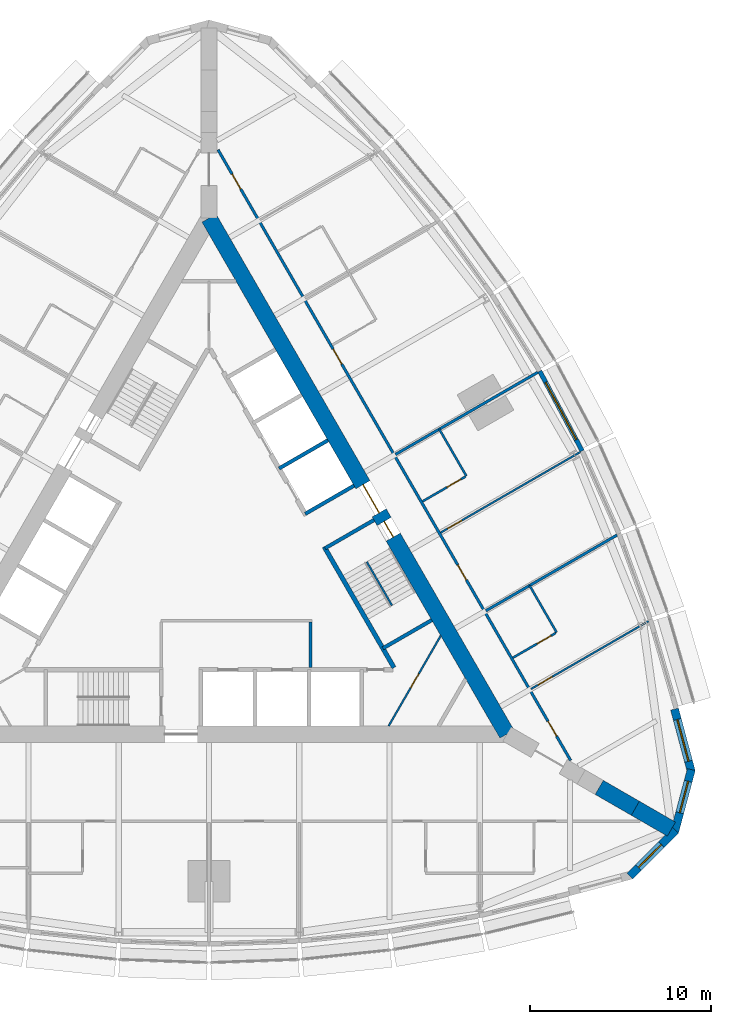
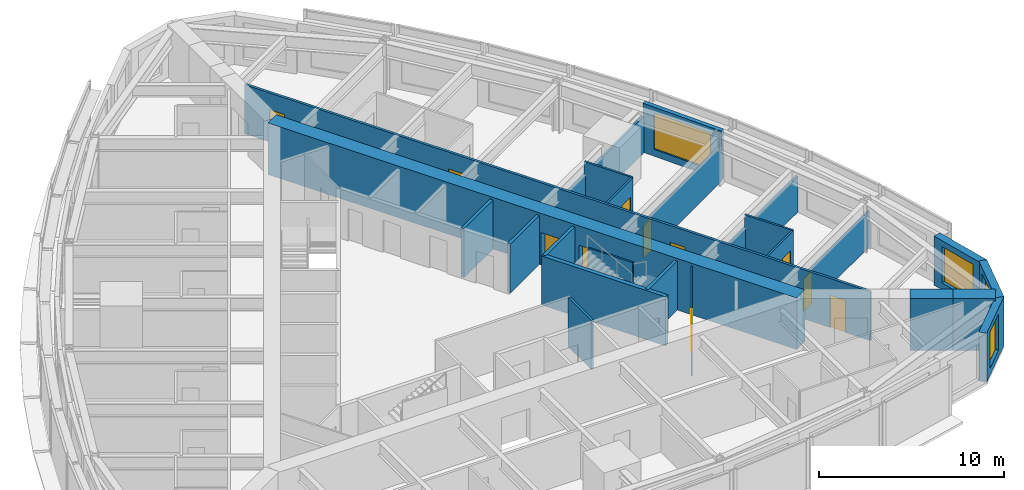
# One storey, part 11 of 14: 24 walls, 11 doors, 4 windows, 15 openings.
"""IFC4 building model written with IfcOpenShell, lengths in metres."""

from ifc_helpers import new_model, si_unit, direction, frame, frame_2d, origin, place, context, subcontext, project, spatial, polyline, rectangle, outline, extrude, material, layer, layer_set, type_object, element, fill, save


model = new_model("IFC4")

# Units and contexts
model_context = context("Model", 3, precision=1e-05, world=origin(), true_north=direction((0.0, 1.0)))
body_context = subcontext(model_context, "Body", "Model", "MODEL_VIEW")
ifc_project = project(units=[si_unit("LENGTHUNIT", "METRE"), si_unit("AREAUNIT", "SQUARE_METRE"), si_unit("VOLUMEUNIT", "CUBIC_METRE"), si_unit("PLANEANGLEUNIT", "RADIAN"), si_unit("MASSUNIT", "GRAM", prefix="KILO")], contexts=[model_context])

# Site, building, storey
site_placement = place(None, origin())
site = spatial("IfcSite", under=ifc_project, at=site_placement, CompositionType="ELEMENT")
building_placement = place(site_placement, origin())
building = spatial("IfcBuilding", under=site, at=building_placement, Name="Trikona Tower", CompositionType="ELEMENT")
storey_placement = place(building_placement, frame((0.0, 0.0, 175.89990234375)))
storey = spatial("IfcBuildingStorey", under=building, at=storey_placement, Name="L47", CompositionType="ELEMENT", Elevation=175.89990234375)

# Wall
ifc_material_1 = material(Name="Metal stud and cement board", Category="gypsum")
ifc_layer_1 = layer(ifc_material_1, 0.1201171875)
ifc_layer_set_1 = layer_set([ifc_layer_1], Name="Bathroom wall 120")
wall_type_1 = type_object("IfcWallType", Name="Bathroom wall 120", PredefinedType="PLUMBINGWALL", material=ifc_layer_set_1)
wall_1_placement = place(storey_placement, frame((19.25341796875, -3.895263671875, 0.0), z_axis=(0.0, 0.0, 1.0), x_axis=(-0.499990139034, 0.866031096941, 0.0)))
element("IfcWall", 1, at=wall_1_placement, inside=storey, type_object=wall_type_1, Name="Bathroom wall 4706.1", PredefinedType="PLUMBINGWALL", context=body_context, shape_type="SweptSolid", body=[
    extrude(rectangle(XDim=3.0, YDim=0.1201171875, at=frame_2d((1.5, 0.0))), origin(), (0.0, 0.0, 1.0), 3.235107421875),
])

# Wall, opening, door
wall_2_placement = place(storey_placement, frame((16.82861328125, -5.295166015625, 0.0), z_axis=(0.0, 0.0, 1.0), x_axis=(0.866035715982, 0.499982138324, 0.0)))
wall_2 = element("IfcWall", 2, at=wall_2_placement, inside=storey, type_object=wall_type_1, Name="Bathroom wall 4706.1", PredefinedType="PLUMBINGWALL", context=body_context, shape_type="SweptSolid", body=[
    extrude(rectangle(XDim=2.73974609375, YDim=0.1201171875, at=frame_2d((1.369873046875, 0.0))), origin(), (0.0, 0.0, 1.0), 3.235107421875),
])
opening_1_placement = place(wall_2_placement, frame((1.550048828125, 0.0, 0.0)))
opening_1 = element("IfcOpeningElement", 3, at=opening_1_placement, cuts=wall_2, Name="Opening D2", PredefinedType="OPENING", context=body_context, shape_type="SweptSolid", body=[
    extrude(rectangle(XDim=0.89990234375, YDim=2.1298828125, at=frame_2d((0.449951171875, 1.06494140625))), frame((0.0, 0.070068359375, 0.0), z_axis=(0.0, -1.0, 0.0), x_axis=(1.0, 0.0, 0.0)), (0.0, 0.0, 1.0), 0.14013671875),
])
ifc_material_2 = material(Name="Steel door frame with solid-core timber leaf", Category="steel")
door_type_1 = type_object("IfcDoorType", Name="Bathroom door 900x2130", OperationType="SLIDING_TO_LEFT", PredefinedType="DOOR", material=ifc_material_2)
door_1_placement = place(opening_1_placement, origin())
door_1 = element("IfcDoor", 4, at=door_1_placement, inside=storey, type_object=door_type_1, Name="Bathroom door 4706.1", OperationType="SLIDING_TO_LEFT", OverallHeight=2.1298828125, OverallWidth=0.89990234375, PredefinedType="DOOR", context=body_context, shape_type="SweptSolid", body=[
    extrude(rectangle(XDim=0.89990234375, YDim=2.1298828125, at=frame_2d((0.449951171875, 1.06494140625))), frame((0.0, 0.02490234375, 0.0), z_axis=(0.0, -1.0, 0.0), x_axis=(1.0, 0.0, 0.0)), (0.0, 0.0, 1.0), 0.050048828125),
])
fill(opening_1, door_1)

# Wall
wall_3_placement = place(storey_placement, frame((14.25341796875, 4.76513671875, 0.0), z_axis=(0.0, 0.0, 1.0), x_axis=(-0.50002537861, 0.866010750942, 0.0)))
element("IfcWall", 5, at=wall_3_placement, inside=storey, type_object=wall_type_1, Name="Bathroom wall 4707.1", PredefinedType="PLUMBINGWALL", context=body_context, shape_type="SweptSolid", body=[
    extrude(rectangle(XDim=2.999755859375, YDim=0.1201171875, at=frame_2d((1.5, 0.0))), origin(), (0.0, 0.0, 1.0), 3.235107421875),
])

# Wall, opening, door
wall_4_placement = place(storey_placement, frame((11.82861328125, 3.364990234375, 0.0), z_axis=(0.0, 0.0, 1.0), x_axis=(0.865997131366, 0.500048966069, 0.0)))
wall_4 = element("IfcWall", 6, at=wall_4_placement, inside=storey, type_object=wall_type_1, Name="Bathroom wall 4707.1", PredefinedType="PLUMBINGWALL", context=body_context, shape_type="SweptSolid", body=[
    extrude(rectangle(XDim=2.739990234375, YDim=0.1201171875, at=frame_2d((1.3701171875, 0.0))), origin(), (0.0, 0.0, 1.0), 3.235107421875),
])
opening_2_placement = place(wall_4_placement, frame((1.550048828125, 0.0, 0.0)))
opening_2 = element("IfcOpeningElement", 7, at=opening_2_placement, cuts=wall_4, Name="Opening D2", PredefinedType="OPENING", context=body_context, shape_type="SweptSolid", body=[
    extrude(rectangle(XDim=0.89990234375, YDim=2.1298828125, at=frame_2d((0.449951171875, 1.06494140625))), frame((0.0, 0.070068359375, 0.0), z_axis=(0.0, -1.0, 0.0), x_axis=(1.0, 0.0, 0.0)), (0.0, 0.0, 1.0), 0.14013671875),
])
door_2_placement = place(opening_2_placement, origin())
door_2 = element("IfcDoor", 8, at=door_2_placement, inside=storey, type_object=door_type_1, Name="Bathroom door 4707.1", OperationType="SLIDING_TO_LEFT", OverallHeight=2.1298828125, OverallWidth=0.89990234375, PredefinedType="DOOR", context=body_context, shape_type="SweptSolid", body=[
    extrude(rectangle(XDim=0.89990234375, YDim=2.1298828125, at=frame_2d((0.449951171875, 1.06494140625))), frame((0.0, 0.02490234375, 0.0), z_axis=(0.0, -1.0, 0.0), x_axis=(1.0, 0.0, 0.0)), (0.0, 0.0, 1.0), 0.050048828125),
])
fill(opening_2, door_2)

# Wall, opening, window
ifc_material_3 = material(Name="Brick-faced precast concrete", Category="masonry")
ifc_layer_2 = layer(ifc_material_3, 0.449951171875)
ifc_layer_set_2 = layer_set([ifc_layer_2], Name="Brick-faced corner wall 450")
wall_type_2 = type_object("IfcWallType", Name="Brick-faced corner wall 450", PredefinedType="SOLIDWALL", material=ifc_layer_set_2)
wall_5_placement = place(storey_placement, frame((23.304931640625, -17.387939453125, 0.0), z_axis=(0.0, 0.0, 1.0), x_axis=(0.707106781187, 0.707106781187, 0.0)))
wall_5 = element("IfcWall", 9, at=wall_5_placement, inside=storey, type_object=wall_type_2, Name="External wall L47-09", PredefinedType="SOLIDWALL", context=body_context, shape_type="SweptSolid", body=[
    extrude(outline(polyline([(3.586181640625, 0.22509765625), (3.527099609375, 0.22509765625), (3.03515625, 0.09326171875), (3.0, 0.22509765625), (0.0, 0.22509765625), (0.0, -0.22509765625), (3.586181640625, -0.22509765625), (3.586181640625, 0.22509765625)])), origin(), (0.0, 0.0, 1.0), 3.235107421875),
])
opening_3_placement = place(wall_5_placement, frame((0.6748046875, 0.0, 0.449951171875)))
opening_3 = element("IfcOpeningElement", 10, at=opening_3_placement, cuts=wall_5, Name="Opening W1824", PredefinedType="OPENING", context=body_context, shape_type="SweptSolid", body=[
    extrude(rectangle(XDim=1.800048828125, YDim=2.39990234375, at=frame_2d((0.89990234375, 1.199951171875))), frame((0.0, 0.23486328125, 0.0), z_axis=(0.0, -1.0, 0.0), x_axis=(1.0, 0.0, 0.0)), (0.0, 0.0, 1.0), 0.469970703125),
])
ifc_material_4 = material(Name="Aluminium-framed double glazing", Category="aluminium")
window_type_1 = type_object("IfcWindowType", Name="Window 1800x2400", PartitioningType="SINGLE_PANEL", PredefinedType="WINDOW", material=ifc_material_4)
window_1_placement = place(opening_3_placement, origin())
window_1 = element("IfcWindow", 11, at=window_1_placement, inside=storey, type_object=window_type_1, Name="Window 4705", OverallHeight=2.39990234375, OverallWidth=1.800048828125, PartitioningType="SINGLE_PANEL", PredefinedType="WINDOW", context=body_context, shape_type="SweptSolid", body=[
    extrude(rectangle(XDim=1.800048828125, YDim=2.39990234375, at=frame_2d((0.89990234375, 1.199951171875))), frame((0.0, 0.030029296875, 0.0), z_axis=(0.0, -1.0, 0.0), x_axis=(1.0, 0.0, 0.0)), (0.0, 0.0, 1.0), 0.06005859375),
])
fill(opening_3, window_1)

wall_6_placement = place(storey_placement, frame((25.78271484375, -14.952880859375, 0.0), z_axis=(0.0, 0.0, 1.0), x_axis=(0.258823421857, 0.965924653531, 0.0)))
wall_6 = element("IfcWall", 12, at=wall_6_placement, inside=storey, type_object=wall_type_2, Name="External wall L47-10", PredefinedType="SOLIDWALL", context=body_context, shape_type="SweptSolid", body=[
    extrude(outline(polyline([(3.58642578125, 0.22509765625), (0.58642578125, 0.22509765625), (0.551025390625, 0.09326171875), (0.0595703125, 0.22509765625), (0.0, 0.22509765625), (0.0, -0.22509765625), (3.58642578125, -0.22509765625), (3.58642578125, 0.22509765625)])), origin(), (0.0, 0.0, 1.0), 3.235107421875),
])
opening_4_placement = place(wall_6_placement, frame((1.111328125, 0.0, 0.449951171875)))
opening_4 = element("IfcOpeningElement", 13, at=opening_4_placement, cuts=wall_6, Name="Opening W1824", PredefinedType="OPENING", context=body_context, shape_type="SweptSolid", body=[
    extrude(rectangle(XDim=1.800048828125, YDim=2.39990234375, at=frame_2d((0.89990234375, 1.199951171875))), frame((0.0, 0.23486328125, 0.0), z_axis=(0.0, -1.0, 0.0), x_axis=(1.0, 0.0, 0.0)), (0.0, 0.0, 1.0), 0.469970703125),
])
window_2_placement = place(opening_4_placement, origin())
window_2 = element("IfcWindow", 14, at=window_2_placement, inside=storey, type_object=window_type_1, Name="Window 4706", OverallHeight=2.39990234375, OverallWidth=1.800048828125, PartitioningType="SINGLE_PANEL", PredefinedType="WINDOW", context=body_context, shape_type="SweptSolid", body=[
    extrude(rectangle(XDim=1.800048828125, YDim=2.39990234375, at=frame_2d((0.89990234375, 1.199951171875))), frame((0.0, 0.030029296875, 0.0), z_axis=(0.0, -1.0, 0.0), x_axis=(1.0, 0.0, 0.0)), (0.0, 0.0, 1.0), 0.06005859375),
])
fill(opening_4, window_2)

wall_7_placement = place(storey_placement, frame((26.7109375, -11.605224609375, 0.0), z_axis=(0.0, 0.0, 1.0), x_axis=(-0.258823421857, 0.965924653531, 0.0)))
wall_7 = element("IfcWall", 15, at=wall_7_placement, inside=storey, type_object=wall_type_2, Name="External wall L47-11", PredefinedType="SOLIDWALL", context=body_context, shape_type="SweptSolid", body=[
    extrude(rectangle(XDim=3.58642578125, YDim=0.449951171875, at=frame_2d((1.793212890625, 0.0))), origin(), (0.0, 0.0, 1.0), 3.235107421875),
])
opening_5_placement = place(wall_7_placement, frame((0.593017578125, 0.0, 0.449951171875)))
opening_5 = element("IfcOpeningElement", 16, at=opening_5_placement, cuts=wall_7, Name="Opening W2424", PredefinedType="OPENING", context=body_context, shape_type="SweptSolid", body=[
    extrude(rectangle(XDim=2.39990234375, YDim=2.39990234375, at=frame_2d((1.199951171875, 1.199951171875))), frame((0.0, 0.23486328125, 0.0), z_axis=(0.0, -1.0, 0.0), x_axis=(1.0, 0.0, 0.0)), (0.0, 0.0, 1.0), 0.469970703125),
])
ifc_material_5 = material(Name="Aluminium-framed double glazing", Category="aluminium")
window_type_2 = type_object("IfcWindowType", Name="Window 2400x2400", PartitioningType="SINGLE_PANEL", PredefinedType="WINDOW", material=ifc_material_5)
window_3_placement = place(opening_5_placement, origin())
window_3 = element("IfcWindow", 17, at=window_3_placement, inside=storey, type_object=window_type_2, Name="Window 4706", OverallHeight=2.39990234375, OverallWidth=2.39990234375, PartitioningType="SINGLE_PANEL", PredefinedType="WINDOW", context=body_context, shape_type="SweptSolid", body=[
    extrude(rectangle(XDim=2.39990234375, YDim=2.39990234375, at=frame_2d((1.199951171875, 1.199951171875))), frame((0.0, 0.030029296875, 0.0), z_axis=(0.0, -1.0, 0.0), x_axis=(1.0, 0.0, 0.0)), (0.0, 0.0, 1.0), 0.06005859375),
])
fill(opening_5, window_3)

# Walls
ifc_material_6 = material(Name="Concrete f'c 10000 psi", Category="concrete")
ifc_layer_3 = layer(ifc_material_6, 0.89990234375)
ifc_layer_set_3 = layer_set([ifc_layer_3], Name="Buttress wall 900")
wall_type_3 = type_object("IfcWallType", Name="Buttress wall 900", PredefinedType="SHEAR", material=ifc_layer_set_3)
for number, where, z_axis, x_axis, name in (
    (18, (21.6103515625, -12.476806640625, 0.0), (0.0, 0.0, 1.0), (0.866055313784, -0.499948190782, 0.0), "Buttress wall 1 part 3"),
    (19, (23.6103515625, -13.63134765625, 0.0), (0.0, 0.0, 1.0), (0.866009537788, -0.500027479704, 0.0), "Buttress wall 1 part 4"),
):
    element("IfcWall", number, at=place(storey_placement, frame(where, z_axis=z_axis, x_axis=x_axis)), inside=storey, type_object=wall_type_3, Name=name, PredefinedType="SHEAR", context=body_context, shape_type="SweptSolid", body=[
        extrude(rectangle(XDim=2.309326171875, YDim=0.89990234375, at=frame_2d((1.15478515625, 0.0))), origin(), (0.0, 0.0, 1.0), 3.400146484375),
    ])

# Wall, openings, doors
ifc_material_7 = material(Name="Concrete f'c 10000 psi", Category="concrete")
ifc_layer_4 = layer(ifc_material_7, 0.89990234375)
ifc_layer_set_4 = layer_set([ifc_layer_4], Name="Core wall 900")
wall_type_4 = type_object("IfcWallType", Name="Core wall 900", PredefinedType="SHEAR", material=ifc_layer_set_4)
wall_8_placement = place(storey_placement, frame((16.5, -9.5263671875, 0.0), z_axis=(0.0, 0.0, 1.0), x_axis=(-0.499999749417, 0.866025548458, 0.0)))
wall_8 = element("IfcWall", 20, at=wall_8_placement, inside=storey, type_object=wall_type_4, Name="Core wall B", PredefinedType="SHEAR", context=body_context, shape_type="SweptSolid", body=[
    extrude(rectangle(XDim=33.0, YDim=0.89990234375, at=frame_2d((16.5, 0.0))), origin(), (0.0, 0.0, 1.0), 3.400146484375),
])
opening_6_placement = place(wall_8_placement, frame((14.14990234375, 0.0, 0.0)))
opening_6 = element("IfcOpeningElement", 21, at=opening_6_placement, cuts=wall_8, Name="Opening D6", PredefinedType="OPENING", context=body_context, shape_type="SweptSolid", body=[
    extrude(rectangle(XDim=1.800048828125, YDim=2.1298828125, at=frame_2d((0.89990234375, 1.06494140625))), frame((0.0, 0.4599609375, 0.0), z_axis=(0.0, -1.0, 0.0), x_axis=(1.0, 0.0, 0.0)), (0.0, 0.0, 1.0), 0.919921875),
])
opening_7_placement = place(wall_8_placement, frame((12.60009765625, 0.0, 0.0)))
opening_7 = element("IfcOpeningElement", 22, at=opening_7_placement, cuts=wall_8, Name="Opening D5", PredefinedType="OPENING", context=body_context, shape_type="SweptSolid", body=[
    extrude(rectangle(XDim=1.0, YDim=2.1298828125, at=frame_2d((0.5, 1.06494140625))), frame((0.0, 0.4599609375, 0.0), z_axis=(0.0, -1.0, 0.0), x_axis=(1.0, 0.0, 0.0)), (0.0, 0.0, 1.0), 0.919921875),
])
ifc_material_8 = material(Name="Hollow metal door and frame", Category="steel")
door_type_2 = type_object("IfcDoorType", Name="Lobby door pair 1800x2130", OperationType="DOUBLE_DOOR_SINGLE_SWING", PredefinedType="DOOR", material=ifc_material_8)
door_3_placement = place(opening_6_placement, origin())
door_3 = element("IfcDoor", 23, at=door_3_placement, inside=storey, type_object=door_type_2, Name="Lift lobby door B", OperationType="DOUBLE_DOOR_SINGLE_SWING", OverallHeight=2.1298828125, OverallWidth=1.800048828125, PredefinedType="DOOR", context=body_context, shape_type="SweptSolid", body=[
    extrude(rectangle(XDim=1.800048828125, YDim=2.1298828125, at=frame_2d((0.89990234375, 1.06494140625))), frame((0.0, 0.02490234375, 0.0), z_axis=(0.0, -1.0, 0.0), x_axis=(1.0, 0.0, 0.0)), (0.0, 0.0, 1.0), 0.050048828125),
])
fill(opening_6, door_3)
ifc_material_9 = material(Name="Hollow metal door and frame", Category="steel")
door_type_3 = type_object("IfcDoorType", Name="Stair door 1000x2130", OperationType="SINGLE_SWING_LEFT", PredefinedType="DOOR", material=ifc_material_9)
door_4_placement = place(opening_7_placement, origin())
door_4 = element("IfcDoor", 24, at=door_4_placement, inside=storey, type_object=door_type_3, Name="Stair B door", OperationType="SINGLE_SWING_RIGHT", OverallHeight=2.1298828125, OverallWidth=1.0, PredefinedType="DOOR", context=body_context, shape_type="SweptSolid", body=[
    extrude(rectangle(XDim=1.0, YDim=2.1298828125, at=frame_2d((0.5, 1.06494140625))), frame((0.0, 0.02490234375, 0.0), z_axis=(0.0, -1.0, 0.0), x_axis=(1.0, 0.0, 0.0)), (0.0, 0.0, 1.0), 0.050048828125),
])
fill(opening_7, door_4)

ifc_material_10 = material(Name="Metal stud and gypsum board, 1-hour", Category="gypsum")
ifc_layer_5 = layer(ifc_material_10, 0.14990234375)
ifc_layer_set_5 = layer_set([ifc_layer_5], Name="Corridor wall 150")
wall_type_5 = type_object("IfcWallType", Name="Corridor wall 150", PredefinedType="PARTITIONING", material=ifc_layer_set_5)
wall_9_placement = place(storey_placement, frame((20.027099609375, -10.9853515625, 0.0), z_axis=(0.0, 0.0, 1.0), x_axis=(-0.500001677587, 0.866024435227, 0.0)))
wall_9 = element("IfcWall", 25, at=wall_9_placement, inside=storey, type_object=wall_type_5, Name="Corridor wall L47-2", PredefinedType="PARTITIONING", context=body_context, shape_type="SweptSolid", body=[
    extrude(rectangle(XDim=39.053955078125, YDim=0.14990234375, at=frame_2d((19.52685546875, 0.0))), origin(), (0.0, 0.0, 1.0), 3.235107421875),
])
opening_8_placement = place(wall_9_placement, frame((1.558349609375, 0.0, 0.0)))
opening_8 = element("IfcOpeningElement", 26, at=opening_8_placement, cuts=wall_9, Name="Opening D1", PredefinedType="OPENING", context=body_context, shape_type="SweptSolid", body=[
    extrude(rectangle(XDim=0.949951171875, YDim=2.1298828125, at=frame_2d((0.47509765625, 1.06494140625))), frame((0.0, 0.0849609375, 0.0), z_axis=(0.0, -1.0, 0.0), x_axis=(1.0, 0.0, 0.0)), (0.0, 0.0, 1.0), 0.169921875),
])
opening_9_placement = place(wall_9_placement, frame((11.552001953125, 0.0, 0.0)))
opening_9 = element("IfcOpeningElement", 27, at=opening_9_placement, cuts=wall_9, Name="Opening D1", PredefinedType="OPENING", context=body_context, shape_type="SweptSolid", body=[
    extrude(rectangle(XDim=0.949951171875, YDim=2.1298828125, at=frame_2d((0.47509765625, 1.06494140625))), frame((0.0, 0.0849609375, 0.0), z_axis=(0.0, -1.0, 0.0), x_axis=(1.0, 0.0, 0.0)), (0.0, 0.0, 1.0), 0.169921875),
])
opening_10_placement = place(wall_9_placement, frame((25.35205078125, 0.0, 0.0)))
opening_10 = element("IfcOpeningElement", 28, at=opening_10_placement, cuts=wall_9, Name="Opening D1", PredefinedType="OPENING", context=body_context, shape_type="SweptSolid", body=[
    extrude(rectangle(XDim=0.949951171875, YDim=2.1298828125, at=frame_2d((0.47509765625, 1.06494140625))), frame((0.0, 0.0849609375, 0.0), z_axis=(0.0, -1.0, 0.0), x_axis=(1.0, 0.0, 0.0)), (0.0, 0.0, 1.0), 0.169921875),
])
opening_11_placement = place(wall_9_placement, frame((36.545654296875, 0.0, 0.0)))
opening_11 = element("IfcOpeningElement", 29, at=opening_11_placement, cuts=wall_9, Name="Opening D1", PredefinedType="OPENING", context=body_context, shape_type="SweptSolid", body=[
    extrude(rectangle(XDim=0.949951171875, YDim=2.1298828125, at=frame_2d((0.47509765625, 1.06494140625))), frame((0.0, 0.0849609375, 0.0), z_axis=(0.0, -1.0, 0.0), x_axis=(1.0, 0.0, 0.0)), (0.0, 0.0, 1.0), 0.169921875),
])
ifc_material_11 = material(Name="Steel door frame with solid-core timber leaf", Category="steel")
door_type_4 = type_object("IfcDoorType", Name="Guest room door 950x2130", OperationType="SINGLE_SWING_LEFT", PredefinedType="DOOR", material=ifc_material_11)
door_5_placement = place(opening_8_placement, origin())
door_5 = element("IfcDoor", 30, at=door_5_placement, inside=storey, type_object=door_type_4, Name="Room door 4706", OperationType="SINGLE_SWING_LEFT", OverallHeight=2.1298828125, OverallWidth=0.949951171875, PredefinedType="DOOR", context=body_context, shape_type="SweptSolid", body=[
    extrude(rectangle(XDim=0.949951171875, YDim=2.1298828125, at=frame_2d((0.47509765625, 1.06494140625))), frame((0.0, 0.02490234375, 0.0), z_axis=(0.0, -1.0, 0.0), x_axis=(1.0, 0.0, 0.0)), (0.0, 0.0, 1.0), 0.050048828125),
])
fill(opening_8, door_5)
door_6_placement = place(opening_9_placement, origin())
door_6 = element("IfcDoor", 31, at=door_6_placement, inside=storey, type_object=door_type_4, Name="Room door 4707", OperationType="SINGLE_SWING_RIGHT", OverallHeight=2.1298828125, OverallWidth=0.949951171875, PredefinedType="DOOR", context=body_context, shape_type="SweptSolid", body=[
    extrude(rectangle(XDim=0.949951171875, YDim=2.1298828125, at=frame_2d((0.47509765625, 1.06494140625))), frame((0.0, 0.02490234375, 0.0), z_axis=(0.0, -1.0, 0.0), x_axis=(1.0, 0.0, 0.0)), (0.0, 0.0, 1.0), 0.050048828125),
])
fill(opening_9, door_6)
door_7_placement = place(opening_10_placement, origin())
door_7 = element("IfcDoor", 32, at=door_7_placement, inside=storey, type_object=door_type_4, Name="Room door 4708", OperationType="SINGLE_SWING_LEFT", OverallHeight=2.1298828125, OverallWidth=0.949951171875, PredefinedType="DOOR", context=body_context, shape_type="SweptSolid", body=[
    extrude(rectangle(XDim=0.949951171875, YDim=2.1298828125, at=frame_2d((0.47509765625, 1.06494140625))), frame((0.0, 0.02490234375, 0.0), z_axis=(0.0, -1.0, 0.0), x_axis=(1.0, 0.0, 0.0)), (0.0, 0.0, 1.0), 0.050048828125),
])
fill(opening_10, door_7)
door_8_placement = place(opening_11_placement, origin())
door_8 = element("IfcDoor", 33, at=door_8_placement, inside=storey, type_object=door_type_4, Name="Room door 4709", OperationType="SINGLE_SWING_RIGHT", OverallHeight=2.1298828125, OverallWidth=0.949951171875, PredefinedType="DOOR", context=body_context, shape_type="SweptSolid", body=[
    extrude(rectangle(XDim=0.949951171875, YDim=2.1298828125, at=frame_2d((0.47509765625, 1.06494140625))), frame((0.0, 0.02490234375, 0.0), z_axis=(0.0, -1.0, 0.0), x_axis=(1.0, 0.0, 0.0)), (0.0, 0.0, 1.0), 0.050048828125),
])
fill(opening_11, door_8)

# Wall
ifc_material_12 = material(Name="Concrete f'c 8000 psi", Category="concrete")
ifc_layer_6 = layer(ifc_material_12, 0.25)
ifc_layer_set_6 = layer_set([ifc_layer_6], Name="Hub wall 250")
wall_type_6 = type_object("IfcWallType", Name="Hub wall 250", PredefinedType="SOLIDWALL", material=ifc_layer_set_6)
wall_10_placement = place(storey_placement, frame((10.245361328125, -5.843017578125, 0.0), z_axis=(0.0, 0.0, 1.0), x_axis=(-0.499993009313, 0.866029439822, 0.0)))
element("IfcWall", 34, at=wall_10_placement, inside=storey, type_object=wall_type_6, Name="Lift lobby wall B1", PredefinedType="SOLIDWALL", context=body_context, shape_type="SweptSolid", body=[
    extrude(rectangle(XDim=7.73291015625, YDim=0.25, at=frame_2d((3.866455078125, 0.0))), origin(), (0.0, 0.0, 1.0), 3.235107421875),
])

# Wall, opening, window
ifc_material_13 = material(Name="Insulated precast concrete spandrel panel", Category="concrete")
ifc_layer_7 = layer(ifc_material_13, 0.25)
ifc_layer_set_7 = layer_set([ifc_layer_7], Name="Inner skin wall 250")
wall_type_7 = type_object("IfcWallType", Name="Inner skin wall 250", PredefinedType="STANDARD", material=ifc_layer_set_7)
wall_11_placement = place(storey_placement, frame((20.662841796875, 6.161376953125, 0.0), z_axis=(0.0, 0.0, 1.0), x_axis=(-0.469404966864, 0.882982999317, 0.0)))
wall_11 = element("IfcWall", 35, at=wall_11_placement, inside=storey, type_object=wall_type_7, Name="External wall L47-15", PredefinedType="STANDARD", context=body_context, shape_type="SweptSolid", body=[
    extrude(rectangle(XDim=5.0029296875, YDim=0.25, at=frame_2d((2.50146484375, 0.0))), origin(), (0.0, 0.0, 1.0), 3.235107421875),
])
opening_12_placement = place(wall_11_placement, frame((0.701416015625, 0.0, 0.449951171875)))
opening_12 = element("IfcOpeningElement", 36, at=opening_12_placement, cuts=wall_11, Name="Opening W3624", PredefinedType="OPENING", context=body_context, shape_type="SweptSolid", body=[
    extrude(rectangle(XDim=3.60009765625, YDim=2.39990234375, at=frame_2d((1.800048828125, 1.199951171875))), frame((0.0, 0.135009765625, 0.0), z_axis=(0.0, -1.0, 0.0), x_axis=(1.0, 0.0, 0.0)), (0.0, 0.0, 1.0), 0.27001953125),
])
ifc_material_14 = material(Name="Aluminium-framed double glazing", Category="aluminium")
window_type_3 = type_object("IfcWindowType", Name="Window 3600x2400", PartitioningType="SINGLE_PANEL", PredefinedType="WINDOW", material=ifc_material_14)
window_4_placement = place(opening_12_placement, origin())
window_4 = element("IfcWindow", 37, at=window_4_placement, inside=storey, type_object=window_type_3, Name="Window 4707.1", OverallHeight=2.39990234375, OverallWidth=3.60009765625, PartitioningType="SINGLE_PANEL", PredefinedType="WINDOW", context=body_context, shape_type="SweptSolid", body=[
    extrude(rectangle(XDim=3.60009765625, YDim=2.39990234375, at=frame_2d((1.800048828125, 1.199951171875))), frame((0.0, 0.030029296875, 0.0), z_axis=(0.0, -1.0, 0.0), x_axis=(1.0, 0.0, 0.0)), (0.0, 0.0, 1.0), 0.06005859375),
])
fill(opening_12, window_4)

# Walls
ifc_material_15 = material(Name="Metal stud and gypsum board, 2-hour shaft wall", Category="gypsum")
ifc_layer_8 = layer(ifc_material_15, 0.14990234375)
ifc_layer_set_8 = layer_set([ifc_layer_8], Name="Lobby wall 150")
wall_type_8 = type_object("IfcWallType", Name="Lobby wall 150", PredefinedType="PARTITIONING", material=ifc_layer_set_8)
wall_12_placement = place(storey_placement, frame((5.625, -5.826416015625, 0.0), z_axis=(0.0, 0.0, 1.0), x_axis=(0.0, 1.0, 0.0)))
element("IfcWall", 38, at=wall_12_placement, inside=storey, type_object=wall_type_8, Name="Fire service lift lobby wall 3", PredefinedType="PARTITIONING", context=body_context, shape_type="SweptSolid", body=[
    extrude(rectangle(XDim=2.5, YDim=0.14990234375, at=frame_2d((1.25, 0.0))), origin(), (0.0, 0.0, 1.0), 3.235107421875),
])
ifc_material_16 = material(Name="Metal stud and gypsum board, 1-hour acoustic", Category="gypsum")
ifc_layer_9 = layer(ifc_material_16, 0.14990234375)
ifc_layer_set_9 = layer_set([ifc_layer_9], Name="Party wall 150")
wall_type_9 = type_object("IfcWallType", Name="Party wall 150", PredefinedType="PARTITIONING", material=ifc_layer_set_9)
wall_13_placement = place(storey_placement, frame((15.32861328125, -2.697021484375, 0.0), z_axis=(0.0, 0.0, 1.0), x_axis=(0.866024316602, 0.50000188305, 0.0)))
element("IfcWall", 39, at=wall_13_placement, inside=storey, type_object=wall_type_9, Name="Partition L47 F2 u-10", PredefinedType="PARTITIONING", context=body_context, shape_type="SweptSolid", body=[
    extrude(rectangle(XDim=8.39501953125, YDim=0.14990234375, at=frame_2d((4.197509765625, 0.0))), origin(), (0.0, 0.0, 1.0), 2.389404296875),
])
wall_14_placement = place(storey_placement, frame((10.32861328125, 5.963134765625, 0.0), z_axis=(0.0, 0.0, 1.0), x_axis=(0.866025170687, 0.500000403736, 0.0)))
element("IfcWall", 40, at=wall_14_placement, inside=storey, type_object=wall_type_9, Name="Partition L47 F2 u-4.44089e-15", PredefinedType="PARTITIONING", context=body_context, shape_type="SweptSolid", body=[
    extrude(rectangle(XDim=9.0986328125, YDim=0.14990234375, at=frame_2d((4.54931640625, 0.0))), origin(), (0.0, 0.0, 1.0), 2.389404296875),
])
ifc_material_17 = material(Name="Concrete f'c 8000 psi", Category="concrete")
ifc_layer_10 = layer(ifc_material_17, 0.199951171875)
ifc_layer_set_10 = layer_set([ifc_layer_10], Name="Shaft wall 200")
wall_type_10 = type_object("IfcWallType", Name="Shaft wall 200", PredefinedType="SOLIDWALL", material=ifc_layer_set_10)
for number, where, z_axis, x_axis, name in (
    (41, (5.3291015625, 2.672607421875, 0.0), (0.0, 0.0, 1.0), (0.866022959057, 0.500004234368, 0.0), "Shaft wall B3"),
    (42, (3.87890625, 5.18408203125, 0.0), (0.0, 0.0, 1.0), (0.866022959057, 0.500004234368, 0.0), "Shaft wall B4"),
):
    element("IfcWall", number, at=place(storey_placement, frame(where, z_axis=z_axis, x_axis=x_axis)), inside=storey, type_object=wall_type_10, Name=name, PredefinedType="SOLIDWALL", context=body_context, shape_type="SweptSolid", body=[
        extrude(rectangle(XDim=3.125, YDim=0.199951171875, at=frame_2d((1.5625, 0.0))), origin(), (0.0, 0.0, 1.0), 3.235107421875),
    ])
ifc_material_18 = material(Name="Concrete f'c 8000 psi", Category="concrete")
ifc_layer_11 = layer(ifc_material_18, 0.199951171875)
ifc_layer_set_11 = layer_set([ifc_layer_11], Name="Shaft wall 200 load-bearing")
wall_type_11 = type_object("IfcWallType", Name="Shaft wall 200 load-bearing", PredefinedType="SOLIDWALL", material=ifc_layer_set_11)
for number, where, z_axis, x_axis, name in (
    (43, (9.62890625, -4.775390625, 0.0), (0.0, 0.0, 1.0), (0.866022959057, 0.500004234368, 0.0), "Shaft wall B1"),
    (44, (6.428955078125, 0.767333984375, 0.0), (0.0, 0.0, 1.0), (0.866022959057, 0.500004234368, 0.0), "Shaft wall B2"),
):
    element("IfcWall", number, at=place(storey_placement, frame(where, z_axis=z_axis, x_axis=x_axis)), inside=storey, type_object=wall_type_11, Name=name, PredefinedType="SOLIDWALL", context=body_context, shape_type="SweptSolid", body=[
        extrude(rectangle(XDim=3.125, YDim=0.199951171875, at=frame_2d((1.5625, 0.0))), origin(), (0.0, 0.0, 1.0), 3.235107421875),
    ])
ifc_material_19 = material(Name="Concrete f'c 5000 psi", Category="concrete")
ifc_layer_12 = layer(ifc_material_19, 0.10009765625)
ifc_layer_set_12 = layer_set([ifc_layer_12], Name="Stair spine wall 100")
wall_type_12 = type_object("IfcWallType", Name="Stair spine wall 100", PredefinedType="SOLIDWALL", material=ifc_layer_set_12)
wall_15_placement = place(storey_placement, frame((10.134765625, -2.4013671875, 0.0), z_axis=(0.0, 0.0, 1.0), x_axis=(-0.499992232847, 0.866029888106, 0.0)))
element("IfcWall", 45, at=wall_15_placement, inside=storey, type_object=wall_type_12, Name="Stair B spine wall L47", PredefinedType="SOLIDWALL", context=body_context, shape_type="SweptSolid", body=[
    extrude(rectangle(XDim=2.7939453125, YDim=0.10009765625, at=frame_2d((1.39697265625, 0.0))), origin(), (0.0, 0.0, 1.0), 3.400146484375),
])

# Wall, opening, door
ifc_material_20 = material(Name="Metal stud and gypsum board, acoustic", Category="gypsum")
ifc_layer_13 = layer(ifc_material_20, 0.10009765625)
ifc_layer_set_13 = layer_set([ifc_layer_13], Name="Suite partition 100")
wall_type_13 = type_object("IfcWallType", Name="Suite partition 100", PredefinedType="PARTITIONING", material=ifc_layer_set_13)
wall_16_placement = place(storey_placement, frame((17.82861328125, -7.027099609375, 0.0), z_axis=(0.0, 0.0, 1.0), x_axis=(0.866029804378, 0.499992377871, 0.0)))
wall_16 = element("IfcWall", 46, at=wall_16_placement, inside=storey, type_object=wall_type_13, Name="Suite partition L47 F2 u-15", PredefinedType="PARTITIONING", context=body_context, shape_type="SweptSolid", body=[
    extrude(rectangle(XDim=7.51611328125, YDim=0.10009765625, at=frame_2d((3.758056640625, 0.0))), origin(), (0.0, 0.0, 1.0), 2.389404296875),
])
opening_13_placement = place(wall_16_placement, frame((0.449951171875, 0.0, 0.0)))
opening_13 = element("IfcOpeningElement", 47, at=opening_13_placement, cuts=wall_16, Name="Opening D13", PredefinedType="OPENING", context=body_context, shape_type="SweptSolid", body=[
    extrude(rectangle(XDim=0.89990234375, YDim=2.1298828125, at=frame_2d((0.449951171875, 1.06494140625))), frame((0.0, 0.06005859375, 0.0), z_axis=(0.0, -1.0, 0.0), x_axis=(1.0, 0.0, 0.0)), (0.0, 0.0, 1.0), 0.1201171875),
])
ifc_material_21 = material(Name="Steel door frame with solid-core timber leaf", Category="steel")
door_type_5 = type_object("IfcDoorType", Name="Suite door 900x2130", OperationType="SINGLE_SWING_LEFT", PredefinedType="DOOR", material=ifc_material_21)
door_9_placement = place(opening_13_placement, origin())
door_9 = element("IfcDoor", 48, at=door_9_placement, inside=storey, type_object=door_type_5, Name="Suite door 4706", OperationType="SINGLE_SWING_LEFT", OverallHeight=2.1298828125, OverallWidth=0.89990234375, PredefinedType="DOOR", context=body_context, shape_type="SweptSolid", body=[
    extrude(rectangle(XDim=0.89990234375, YDim=2.1298828125, at=frame_2d((0.449951171875, 1.06494140625))), frame((0.0, 0.02490234375, 0.0), z_axis=(0.0, -1.0, 0.0), x_axis=(1.0, 0.0, 0.0)), (0.0, 0.0, 1.0), 0.050048828125),
])
fill(opening_13, door_9)

wall_17_placement = place(storey_placement, frame((12.82861328125, 1.633056640625, 0.0), z_axis=(0.0, 0.0, 1.0), x_axis=(0.866027015393, 0.499997208602, 0.0)))
wall_17 = element("IfcWall", 49, at=wall_17_placement, inside=storey, type_object=wall_type_13, Name="Suite partition L47 F2 u-5", PredefinedType="PARTITIONING", context=body_context, shape_type="SweptSolid", body=[
    extrude(rectangle(XDim=8.92236328125, YDim=0.10009765625, at=frame_2d((4.461181640625, 0.0))), origin(), (0.0, 0.0, 1.0), 2.389404296875),
])
opening_14_placement = place(wall_17_placement, frame((0.449951171875, 0.0, 0.0)))
opening_14 = element("IfcOpeningElement", 50, at=opening_14_placement, cuts=wall_17, Name="Opening D13", PredefinedType="OPENING", context=body_context, shape_type="SweptSolid", body=[
    extrude(rectangle(XDim=0.89990234375, YDim=2.1298828125, at=frame_2d((0.449951171875, 1.06494140625))), frame((0.0, 0.06005859375, 0.0), z_axis=(0.0, -1.0, 0.0), x_axis=(1.0, 0.0, 0.0)), (0.0, 0.0, 1.0), 0.1201171875),
])
door_10_placement = place(opening_14_placement, origin())
door_10 = element("IfcDoor", 51, at=door_10_placement, inside=storey, type_object=door_type_5, Name="Suite door 4707", OperationType="SINGLE_SWING_LEFT", OverallHeight=2.1298828125, OverallWidth=0.89990234375, PredefinedType="DOOR", context=body_context, shape_type="SweptSolid", body=[
    extrude(rectangle(XDim=0.89990234375, YDim=2.1298828125, at=frame_2d((0.449951171875, 1.06494140625))), frame((0.0, 0.02490234375, 0.0), z_axis=(0.0, -1.0, 0.0), x_axis=(1.0, 0.0, 0.0)), (0.0, 0.0, 1.0), 0.050048828125),
])
fill(opening_14, door_10)

wall_18_placement = place(storey_placement, frame((12.833984375, -4.076416015625, 0.0), z_axis=(0.0, 0.0, 1.0), x_axis=(-0.500027479704, -0.866009537788, 0.0)))
wall_18 = element("IfcWall", 52, at=wall_18_placement, inside=storey, type_object=wall_type_13, Name="Store partition L47-RS1", PredefinedType="PARTITIONING", context=body_context, shape_type="SweptSolid", body=[
    extrude(rectangle(XDim=5.773681640625, YDim=0.10009765625, at=frame_2d((2.88671875, 0.0))), origin(), (0.0, 0.0, 1.0), 3.235107421875),
])
opening_15_placement = place(wall_18_placement, frame((2.436767578125, 0.0, 0.0)))
opening_15 = element("IfcOpeningElement", 53, at=opening_15_placement, cuts=wall_18, Name="Opening D15", PredefinedType="OPENING", context=body_context, shape_type="SweptSolid", body=[
    extrude(rectangle(XDim=0.89990234375, YDim=2.1298828125, at=frame_2d((0.449951171875, 1.06494140625))), frame((0.0, 0.06005859375, 0.0), z_axis=(0.0, -1.0, 0.0), x_axis=(1.0, 0.0, 0.0)), (0.0, 0.0, 1.0), 0.1201171875),
])
ifc_material_22 = material(Name="Steel door frame with solid-core timber leaf", Category="steel")
door_type_6 = type_object("IfcDoorType", Name="Store door 900x2130", OperationType="SINGLE_SWING_LEFT", PredefinedType="DOOR", material=ifc_material_22)
door_11_placement = place(opening_15_placement, origin())
door_11 = element("IfcDoor", 54, at=door_11_placement, inside=storey, type_object=door_type_6, Name="Door Amenity store AMS", OperationType="SINGLE_SWING_RIGHT", OverallHeight=2.1298828125, OverallWidth=0.89990234375, PredefinedType="DOOR", context=body_context, shape_type="SweptSolid", body=[
    extrude(rectangle(XDim=0.89990234375, YDim=2.1298828125, at=frame_2d((0.449951171875, 1.06494140625))), frame((0.0, 0.02490234375, 0.0), z_axis=(0.0, -1.0, 0.0), x_axis=(1.0, 0.0, 0.0)), (0.0, 0.0, 1.0), 0.050048828125),
])
fill(opening_15, door_11)

save(model, "model.ifc")
